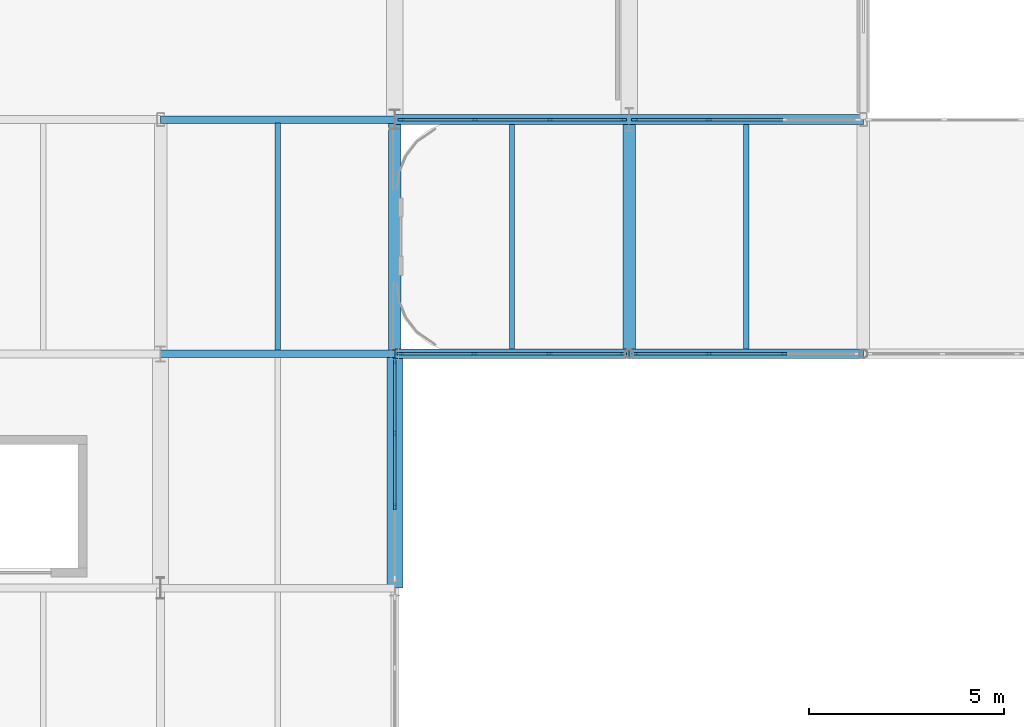
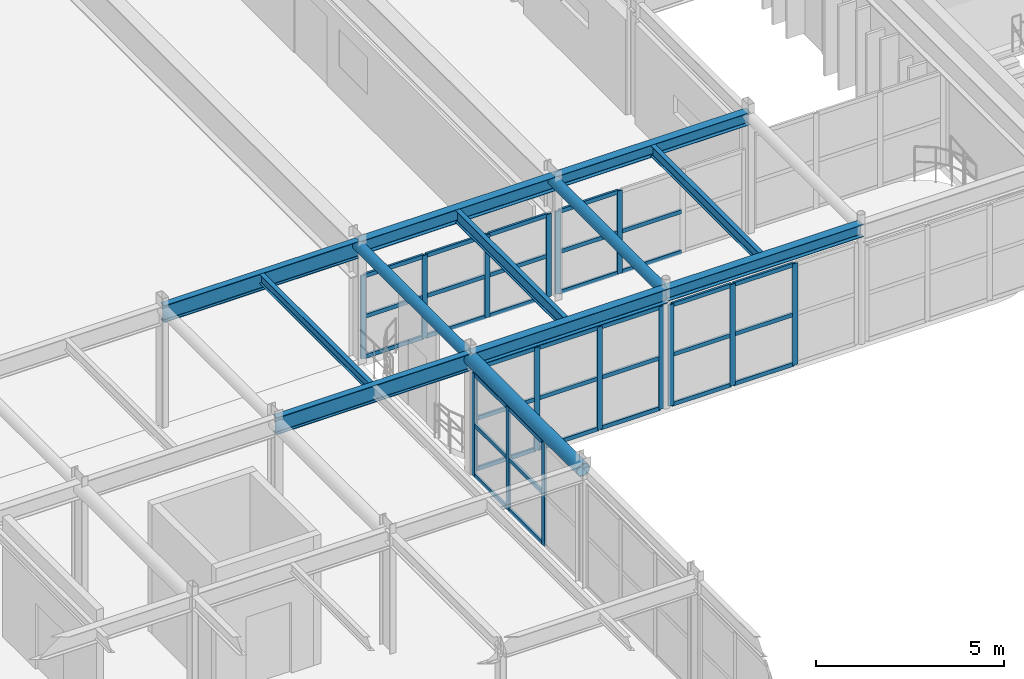
# One storey, part 63 of 116: 51 members, 12 beams, 5 elements without a shape of their own.
"""IFC4 building model written with IfcOpenShell, lengths in metres."""

from ifc_helpers import new_model, si_unit, direction, frame, origin, origin_2d, place, context, subcontext, project, spatial, rectangle, hollow_circle, i_section, extrude, material, material_profile, profile_set, type_object, element, aggregate, save


model = new_model("IFC4")

# Units and contexts
model_context = context("Model", 3, precision=1e-05, world=origin(), true_north=direction((0.0, 1.0)))
body_context = subcontext(model_context, "Body", "Model", "MODEL_VIEW")
ifc_project = project(units=[si_unit("LENGTHUNIT", "METRE"), si_unit("AREAUNIT", "SQUARE_METRE"), si_unit("VOLUMEUNIT", "CUBIC_METRE"), si_unit("PLANEANGLEUNIT", "RADIAN"), si_unit("MASSUNIT", "GRAM", prefix="KILO")], contexts=[model_context])

# Site, building, storey
site_placement = place(None, origin())
site = spatial("IfcSite", under=ifc_project, at=site_placement, CompositionType="ELEMENT")
building_placement = place(site_placement, origin())
building = spatial("IfcBuilding", under=site, at=building_placement, Name="Varnakota Square Police Headquarters", CompositionType="ELEMENT")
storey_placement = place(building_placement, frame((0.0, 0.0, 9.300048828125)))
storey = spatial("IfcBuildingStorey", under=building, at=storey_placement, Name="L02", CompositionType="ELEMENT", Elevation=9.300048828125)

# Beams
ifc_material_1 = material(Name="Steel IS 2062 Grade 350", Category="steel")
ifc_material_profile_1 = material_profile(ifc_material_1, hollow_circle(Radius=0.161865234375, WallThickness=0.0126953125, at=origin_2d()), Name="CHS 323.9x12.7")
ifc_profile_set_1 = profile_set([ifc_material_profile_1], Name="Steel IS 2062 Grade 350")
beam_type_1 = type_object("IfcBeamType", Name="BM-ARC-CHS324", PredefinedType="BEAM", material=ifc_profile_set_1)
for number, where, z_axis, x_axis, name in (
    (1, (42.0, 69.0, 3.738037109375), (0.0, 1.0, 0.0), (-1.0, 0.0, 0.0), "BMG-L02-2191"),
    (2, (48.0, 69.0, 3.738037109375), (0.0, 1.0, 0.0), (-1.0, 0.0, 0.0), "BMG-L02-2197"),
):
    element("IfcBeam", number, at=place(storey_placement, frame(where, z_axis=z_axis, x_axis=x_axis)), inside=storey, type_object=beam_type_1, Name=name, PredefinedType="BEAM", context=body_context, shape_type="SweptSolid", body=[
        extrude(hollow_circle(Radius=0.161865234375, WallThickness=0.0126953125, at=origin_2d()), origin(), (0.0, 0.0, 1.0), 6.0),
    ])
ifc_material_profile_2 = material_profile(ifc_material_1, hollow_circle(Radius=0.203125, WallThickness=0.01611328125, at=origin_2d()), Name="CHS 406.4x16.0")
ifc_profile_set_2 = profile_set([ifc_material_profile_2], Name="Steel IS 2062 Grade 350")
beam_type_2 = type_object("IfcBeamType", Name="BM-ARC-CHS406", PredefinedType="BEAM", material=ifc_profile_set_2)
beam_1_placement = place(storey_placement, frame((42.0, 63.0, 3.69677734375), z_axis=(0.0, 1.0, 0.0), x_axis=(-1.0, 0.0, 0.0)))
element("IfcBeam", 3, at=beam_1_placement, inside=storey, type_object=beam_type_2, Name="BMG-L02-2190", PredefinedType="BEAM", context=body_context, shape_type="SweptSolid", body=[
    extrude(hollow_circle(Radius=0.203125, WallThickness=0.01611328125, at=origin_2d()), origin(), (0.0, 0.0, 1.0), 6.0),
])
ifc_material_profile_3 = material_profile(ifc_material_1, i_section(OverallWidth=0.25, OverallDepth=0.39990234375, WebThickness=0.010498046875, FlangeThickness=0.0126953125, FilletRadius=0.013916015625, at=origin_2d()), Name="ISHB 400")
ifc_profile_set_3 = profile_set([ifc_material_profile_3], Name="Steel IS 2062 Grade 350")
beam_type_3 = type_object("IfcBeamType", Name="BM-ISHB400", PredefinedType="BEAM", material=ifc_profile_set_3)
for number, where, z_axis, x_axis, name in (
    (4, (48.0, 69.0, 3.699951171875), (1.0, 0.0, 0.0), (0.0, 1.0, 0.0), "BMG-L02-2012"),
    (5, (48.0, 75.0, 3.699951171875), (1.0, 0.0, 0.0), (0.0, 1.0, 0.0), "BMG-L02-2034"),
):
    element("IfcBeam", number, at=place(storey_placement, frame(where, z_axis=z_axis, x_axis=x_axis)), inside=storey, type_object=beam_type_3, Name=name, PredefinedType="BEAM", context=body_context, shape_type="SweptSolid", body=[
        extrude(i_section(OverallWidth=0.25, OverallDepth=0.39990234375, WebThickness=0.010498046875, FlangeThickness=0.0126953125, FilletRadius=0.013916015625, at=origin_2d()), origin(), (0.0, 0.0, 1.0), 6.0),
    ])
ifc_material_profile_4 = material_profile(ifc_material_1, i_section(OverallWidth=0.25, OverallDepth=0.449951171875, WebThickness=0.01123046875, FlangeThickness=0.013671875, FilletRadius=0.014892578125, at=origin_2d()), Name="ISHB 450")
ifc_profile_set_4 = profile_set([ifc_material_profile_4], Name="Steel IS 2062 Grade 350")
beam_type_4 = type_object("IfcBeamType", Name="BM-ISHB450", PredefinedType="BEAM", material=ifc_profile_set_4)
for number, where, z_axis, x_axis, name in (
    (6, (42.0, 69.0, 3.675048828125), (1.0, 0.0, 0.0), (0.0, 1.0, 0.0), "BMG-L02-2011"),
    (7, (42.0, 75.0, 3.675048828125), (1.0, 0.0, 0.0), (0.0, 1.0, 0.0), "BMG-L02-2033"),
):
    element("IfcBeam", number, at=place(storey_placement, frame(where, z_axis=z_axis, x_axis=x_axis)), inside=storey, type_object=beam_type_4, Name=name, PredefinedType="BEAM", context=body_context, shape_type="SweptSolid", body=[
        extrude(i_section(OverallWidth=0.25, OverallDepth=0.449951171875, WebThickness=0.01123046875, FlangeThickness=0.013671875, FilletRadius=0.014892578125, at=origin_2d()), origin(), (0.0, 0.0, 1.0), 6.0),
    ])
ifc_material_profile_5 = material_profile(ifc_material_1, i_section(OverallWidth=0.139892578125, OverallDepth=0.300048828125, WebThickness=0.0078125, FlangeThickness=0.01318359375, FilletRadius=0.013916015625, at=origin_2d()), Name="ISMB 300")
ifc_profile_set_5 = profile_set([ifc_material_profile_5], Name="Steel IS 2062 Grade 350")
beam_type_5 = type_object("IfcBeamType", Name="BM-ISMB300", PredefinedType="JOIST", material=ifc_profile_set_5)
beam_2_placement = place(storey_placement, frame((39.0, 69.093017578125, 3.75), z_axis=(0.0, 1.0, 0.0), x_axis=(-1.0, 0.0, 0.0)))
element("IfcBeam", 8, at=beam_2_placement, inside=storey, type_object=beam_type_5, Name="BMG-L02-2367", PredefinedType="JOIST", context=body_context, shape_type="SweptSolid", body=[
    extrude(i_section(OverallWidth=0.139892578125, OverallDepth=0.300048828125, WebThickness=0.0078125, FlangeThickness=0.01318359375, FilletRadius=0.013916015625, at=origin_2d()), origin(), (0.0, 0.0, 1.0), 5.81396484375),
])
ifc_material_profile_6 = material_profile(ifc_material_1, i_section(OverallWidth=0.139892578125, OverallDepth=0.35009765625, WebThickness=0.008056640625, FlangeThickness=0.01416015625, FilletRadius=0.013916015625, at=origin_2d()), Name="ISMB 350")
ifc_profile_set_6 = profile_set([ifc_material_profile_6], Name="Steel IS 2062 Grade 350")
beam_type_6 = type_object("IfcBeamType", Name="BM-ISMB350", PredefinedType="JOIST", material=ifc_profile_set_6)
beam_3_placement = place(storey_placement, frame((51.0, 69.123046875, 3.724853515625), z_axis=(0.0, 1.0, 0.0), x_axis=(-1.0, 0.0, 0.0)))
element("IfcBeam", 9, at=beam_3_placement, inside=storey, type_object=beam_type_6, Name="BMG-L02-2373", PredefinedType="JOIST", context=body_context, shape_type="SweptSolid", body=[
    extrude(i_section(OverallWidth=0.139892578125, OverallDepth=0.35009765625, WebThickness=0.008056640625, FlangeThickness=0.01416015625, FilletRadius=0.013916015625, at=origin_2d()), origin(), (0.0, 0.0, 1.0), 5.75390625),
])
ifc_material_profile_7 = material_profile(ifc_material_1, i_section(OverallWidth=0.139892578125, OverallDepth=0.39990234375, WebThickness=0.0087890625, FlangeThickness=0.01611328125, FilletRadius=0.013916015625, at=origin_2d()), Name="ISMB 400")
ifc_profile_set_7 = profile_set([ifc_material_profile_7], Name="Steel IS 2062 Grade 350")
beam_type_7 = type_object("IfcBeamType", Name="BM-ISMB400", PredefinedType="JOIST", material=ifc_profile_set_7)
beam_4_placement = place(storey_placement, frame((45.0, 69.123046875, 3.699951171875), z_axis=(0.0, 1.0, 0.0), x_axis=(-1.0, 0.0, 0.0)))
element("IfcBeam", 10, at=beam_4_placement, inside=storey, type_object=beam_type_7, Name="BMG-L02-2371", PredefinedType="JOIST", context=body_context, shape_type="SweptSolid", body=[
    extrude(i_section(OverallWidth=0.139892578125, OverallDepth=0.39990234375, WebThickness=0.0087890625, FlangeThickness=0.01611328125, FilletRadius=0.013916015625, at=origin_2d()), origin(), (0.0, 0.0, 1.0), 5.75390625),
])
ifc_material_profile_8 = material_profile(ifc_material_1, i_section(OverallWidth=0.18994140625, OverallDepth=0.550048828125, WebThickness=0.01123046875, FlangeThickness=0.019287109375, FilletRadius=0.01806640625, at=origin_2d()), Name="ISMB 550")
ifc_profile_set_8 = profile_set([ifc_material_profile_8], Name="Steel IS 2062 Grade 350")
beam_type_8 = type_object("IfcBeamType", Name="BM-ISMB550", PredefinedType="BEAM", material=ifc_profile_set_8)
for number, where, z_axis, x_axis, name in (
    (11, (36.0, 69.0, 3.625), (1.0, 0.0, 0.0), (0.0, 1.0, 0.0), "BMG-L02-2010"),
    (12, (36.0, 75.0, 3.625), (1.0, 0.0, 0.0), (0.0, 1.0, 0.0), "BMG-L02-2032"),
):
    element("IfcBeam", number, at=place(storey_placement, frame(where, z_axis=z_axis, x_axis=x_axis)), inside=storey, type_object=beam_type_8, Name=name, PredefinedType="BEAM", context=body_context, shape_type="SweptSolid", body=[
        extrude(i_section(OverallWidth=0.18994140625, OverallDepth=0.550048828125, WebThickness=0.01123046875, FlangeThickness=0.019287109375, FilletRadius=0.01806640625, at=origin_2d()), origin(), (0.0, 0.0, 1.0), 6.0),
    ])

# Curtain wall, members
ifc_material_2 = material(Name="Anodised Aluminium Framing", Category="aluminium")
curtain_wall_type_1 = type_object("IfcCurtainWallType", Name="CW-SYS-D", PredefinedType="NOTDEFINED", material=ifc_material_2)
curtain_wall_1_placement = place(storey_placement, origin())
curtain_wall_1 = element("IfcCurtainWall", 13, at=curtain_wall_1_placement, inside=storey, type_object=curtain_wall_type_1, Name="Unitised curtain wall CWG-L02-160", PredefinedType="NOTDEFINED")
ifc_material_3 = material(Name="Anodised Aluminium 6063-T6", Category="aluminium")
ifc_material_profile_9 = material_profile(ifc_material_3, rectangle(XDim=0.06494140625, YDim=0.159912109375, at=origin_2d()), Name="ALU MULLION 65x160")
ifc_profile_set_9 = profile_set([ifc_material_profile_9], Name="Anodised Aluminium 6063-T6")
member_type_1 = type_object("IfcMemberType", Name="CWM-150", PredefinedType="MULLION", material=ifc_profile_set_9)
member_1_placement = place(storey_placement, frame((42.0, 65.0849609375, 0.0), z_axis=(0.0, 0.0, 1.0), x_axis=(-1.0, 0.0, 0.0)))
member_1 = element("IfcMember", 14, at=member_1_placement, type_object=member_type_1, Name="CWG-L02-160 mullion 2", PredefinedType="MULLION", context=body_context, shape_type="SweptSolid", body=[
    extrude(rectangle(XDim=0.06494140625, YDim=0.159912109375, at=origin_2d()), origin(), (0.0, 0.0, 1.0), 3.33984375),
])
member_2_placement = place(storey_placement, frame((42.0, 66.965087890625, 0.0), z_axis=(0.0, 0.0, 1.0), x_axis=(-1.0, 0.0, 0.0)))
member_2 = element("IfcMember", 15, at=member_2_placement, type_object=member_type_1, Name="CWG-L02-160 mullion 3", PredefinedType="MULLION", context=body_context, shape_type="SweptSolid", body=[
    extrude(rectangle(XDim=0.06494140625, YDim=0.159912109375, at=origin_2d()), origin(), (0.0, 0.0, 1.0), 3.33984375),
])
member_3_placement = place(storey_placement, frame((42.0, 68.8125, 0.0), z_axis=(0.0, 0.0, 1.0), x_axis=(-1.0, 0.0, 0.0)))
member_3 = element("IfcMember", 16, at=member_3_placement, type_object=member_type_1, Name="CWG-L02-160 mullion 4", PredefinedType="MULLION", context=body_context, shape_type="SweptSolid", body=[
    extrude(rectangle(XDim=0.06494140625, YDim=0.159912109375, at=origin_2d()), origin(), (0.0, 0.0, 1.0), 3.33984375),
])

curtain_wall_type_2 = type_object("IfcCurtainWallType", Name="CW-SYS-E", PredefinedType="NOTDEFINED", material=ifc_material_2)
curtain_wall_2_placement = place(storey_placement, origin())
curtain_wall_2 = element("IfcCurtainWall", 17, at=curtain_wall_2_placement, inside=storey, type_object=curtain_wall_type_2, Name="Unitised curtain wall CWG-L02-204", PredefinedType="NOTDEFINED")
member_4_placement = place(storey_placement, frame((42.137451171875, 69.0, 0.0), z_axis=(0.0, 0.0, 1.0), x_axis=(0.0, 1.0, 0.0)))
member_4 = element("IfcMember", 18, at=member_4_placement, type_object=member_type_1, Name="CWG-L02-204 mullion 1", PredefinedType="MULLION", context=body_context, shape_type="SweptSolid", body=[
    extrude(rectangle(XDim=0.06494140625, YDim=0.159912109375, at=origin_2d()), origin(), (0.0, 0.0, 1.0), 3.33984375),
])
member_5_placement = place(storey_placement, frame((44.03173828125, 69.0, 0.0), z_axis=(0.0, 0.0, 1.0), x_axis=(0.0, 1.0, 0.0)))
member_5 = element("IfcMember", 19, at=member_5_placement, type_object=member_type_1, Name="CWG-L02-204 mullion 2", PredefinedType="MULLION", context=body_context, shape_type="SweptSolid", body=[
    extrude(rectangle(XDim=0.06494140625, YDim=0.159912109375, at=origin_2d()), origin(), (0.0, 0.0, 1.0), 3.33984375),
])
member_6_placement = place(storey_placement, frame((45.95849609375, 69.0, 0.0), z_axis=(0.0, 0.0, 1.0), x_axis=(0.0, 1.0, 0.0)))
member_6 = element("IfcMember", 20, at=member_6_placement, type_object=member_type_1, Name="CWG-L02-204 mullion 3", PredefinedType="MULLION", context=body_context, shape_type="SweptSolid", body=[
    extrude(rectangle(XDim=0.06494140625, YDim=0.159912109375, at=origin_2d()), origin(), (0.0, 0.0, 1.0), 3.33984375),
])
member_7_placement = place(storey_placement, frame((47.852783203125, 69.0, 0.0), z_axis=(0.0, 0.0, 1.0), x_axis=(0.0, 1.0, 0.0)))
member_7 = element("IfcMember", 21, at=member_7_placement, type_object=member_type_1, Name="CWG-L02-204 mullion 4", PredefinedType="MULLION", context=body_context, shape_type="SweptSolid", body=[
    extrude(rectangle(XDim=0.06494140625, YDim=0.159912109375, at=origin_2d()), origin(), (0.0, 0.0, 1.0), 3.33984375),
])

curtain_wall_3_placement = place(storey_placement, origin())
curtain_wall_3 = element("IfcCurtainWall", 22, at=curtain_wall_3_placement, inside=storey, type_object=curtain_wall_type_2, Name="Unitised curtain wall CWG-L02-205", PredefinedType="NOTDEFINED")
member_8_placement = place(storey_placement, frame((42.16259765625, 75.0, 0.0), z_axis=(0.0, 0.0, 1.0), x_axis=(0.0, 1.0, 0.0)))
member_8 = element("IfcMember", 23, at=member_8_placement, type_object=member_type_1, Name="CWG-L02-205 mullion 1", PredefinedType="MULLION", context=body_context, shape_type="SweptSolid", body=[
    extrude(rectangle(XDim=0.06494140625, YDim=0.159912109375, at=origin_2d()), origin(), (0.0, 0.0, 1.0), 2.68994140625),
])
member_9_placement = place(storey_placement, frame((44.050048828125, 75.0, 0.0), z_axis=(0.0, 0.0, 1.0), x_axis=(0.0, 1.0, 0.0)))
member_9 = element("IfcMember", 24, at=member_9_placement, type_object=member_type_1, Name="CWG-L02-205 mullion 2", PredefinedType="MULLION", context=body_context, shape_type="SweptSolid", body=[
    extrude(rectangle(XDim=0.06494140625, YDim=0.159912109375, at=origin_2d()), origin(), (0.0, 0.0, 1.0), 2.68994140625),
])
member_10_placement = place(storey_placement, frame((45.969970703125, 75.0, 0.0), z_axis=(0.0, 0.0, 1.0), x_axis=(0.0, 1.0, 0.0)))
member_10 = element("IfcMember", 25, at=member_10_placement, type_object=member_type_1, Name="CWG-L02-205 mullion 3", PredefinedType="MULLION", context=body_context, shape_type="SweptSolid", body=[
    extrude(rectangle(XDim=0.06494140625, YDim=0.159912109375, at=origin_2d()), origin(), (0.0, 0.0, 1.0), 2.68994140625),
])
member_11_placement = place(storey_placement, frame((47.857421875, 75.0, 0.0), z_axis=(0.0, 0.0, 1.0), x_axis=(0.0, 1.0, 0.0)))
member_11 = element("IfcMember", 26, at=member_11_placement, type_object=member_type_1, Name="CWG-L02-205 mullion 4", PredefinedType="MULLION", context=body_context, shape_type="SweptSolid", body=[
    extrude(rectangle(XDim=0.06494140625, YDim=0.159912109375, at=origin_2d()), origin(), (0.0, 0.0, 1.0), 2.68994140625),
])

curtain_wall_4_placement = place(storey_placement, origin())
curtain_wall_4 = element("IfcCurtainWall", 27, at=curtain_wall_4_placement, inside=storey, type_object=curtain_wall_type_2, Name="Unitised curtain wall CWG-L02-206", PredefinedType="NOTDEFINED")
member_12_placement = place(storey_placement, frame((48.147216796875, 69.0, 0.0), z_axis=(0.0, 0.0, 1.0), x_axis=(0.0, 1.0, 0.0)))
member_12 = element("IfcMember", 28, at=member_12_placement, type_object=member_type_1, Name="CWG-L02-206 mullion 1", PredefinedType="MULLION", context=body_context, shape_type="SweptSolid", body=[
    extrude(rectangle(XDim=0.06494140625, YDim=0.159912109375, at=origin_2d()), origin(), (0.0, 0.0, 1.0), 3.2900390625),
])
member_13_placement = place(storey_placement, frame((50.0380859375, 69.0, 0.0), z_axis=(0.0, 0.0, 1.0), x_axis=(0.0, 1.0, 0.0)))
member_13 = element("IfcMember", 29, at=member_13_placement, type_object=member_type_1, Name="CWG-L02-206 mullion 2", PredefinedType="MULLION", context=body_context, shape_type="SweptSolid", body=[
    extrude(rectangle(XDim=0.06494140625, YDim=0.159912109375, at=origin_2d()), origin(), (0.0, 0.0, 1.0), 3.2900390625),
])
member_14_placement = place(storey_placement, frame((51.9619140625, 69.0, 0.0), z_axis=(0.0, 0.0, 1.0), x_axis=(0.0, 1.0, 0.0)))
member_14 = element("IfcMember", 30, at=member_14_placement, type_object=member_type_1, Name="CWG-L02-206 mullion 3", PredefinedType="MULLION", context=body_context, shape_type="SweptSolid", body=[
    extrude(rectangle(XDim=0.06494140625, YDim=0.159912109375, at=origin_2d()), origin(), (0.0, 0.0, 1.0), 3.2900390625),
])

curtain_wall_5_placement = place(storey_placement, origin())
curtain_wall_5 = element("IfcCurtainWall", 31, at=curtain_wall_5_placement, inside=storey, type_object=curtain_wall_type_2, Name="Unitised curtain wall CWG-L02-207", PredefinedType="NOTDEFINED")
member_15_placement = place(storey_placement, frame((48.142578125, 75.0, 0.0), z_axis=(0.0, 0.0, 1.0), x_axis=(0.0, 1.0, 0.0)))
member_15 = element("IfcMember", 32, at=member_15_placement, type_object=member_type_1, Name="CWG-L02-207 mullion 1", PredefinedType="MULLION", context=body_context, shape_type="SweptSolid", body=[
    extrude(rectangle(XDim=0.06494140625, YDim=0.159912109375, at=origin_2d()), origin(), (0.0, 0.0, 1.0), 2.68994140625),
])
member_16_placement = place(storey_placement, frame((50.038330078125, 75.0, 0.0), z_axis=(0.0, 0.0, 1.0), x_axis=(0.0, 1.0, 0.0)))
member_16 = element("IfcMember", 33, at=member_16_placement, type_object=member_type_1, Name="CWG-L02-207 mullion 2", PredefinedType="MULLION", context=body_context, shape_type="SweptSolid", body=[
    extrude(rectangle(XDim=0.06494140625, YDim=0.159912109375, at=origin_2d()), origin(), (0.0, 0.0, 1.0), 2.68994140625),
])

# Member
ifc_material_profile_10 = material_profile(ifc_material_3, rectangle(XDim=0.06494140625, YDim=0.1298828125, at=origin_2d()), Name="ALU TRANSOM 65x130")
ifc_profile_set_10 = profile_set([ifc_material_profile_10], Name="Anodised Aluminium 6063-T6")
member_type_2 = type_object("IfcMemberType", Name="CWT-120", PredefinedType="USERDEFINED", material=ifc_profile_set_10)
member_17_placement = place(storey_placement, frame((42.0, 65.117431640625, 0.032470703125), z_axis=(0.0, 1.0, 0.0), x_axis=(-1.0, 0.0, 0.0)))
member_17 = element("IfcMember", 34, at=member_17_placement, type_object=member_type_2, Name="CWG-L02-160 transom 2.1", ObjectType="TRANSOM", PredefinedType="USERDEFINED", context=body_context, shape_type="SweptSolid", body=[
    extrude(rectangle(XDim=0.06494140625, YDim=0.1298828125, at=origin_2d()), origin(), (0.0, 0.0, 1.0), 1.815185546875),
])

member_18_placement = place(storey_placement, frame((42.0, 65.117431640625, 1.669921875), z_axis=(0.0, 1.0, 0.0), x_axis=(-1.0, 0.0, 0.0)))
member_18 = element("IfcMember", 35, at=member_18_placement, type_object=member_type_2, Name="CWG-L02-160 transom 2.2", ObjectType="TRANSOM", PredefinedType="USERDEFINED", context=body_context, shape_type="SweptSolid", body=[
    extrude(rectangle(XDim=0.06494140625, YDim=0.1298828125, at=origin_2d()), origin(), (0.0, 0.0, 1.0), 1.815185546875),
])

member_19_placement = place(storey_placement, frame((42.0, 65.117431640625, 3.307373046875), z_axis=(0.0, 1.0, 0.0), x_axis=(-1.0, 0.0, 0.0)))
member_19 = element("IfcMember", 36, at=member_19_placement, type_object=member_type_2, Name="CWG-L02-160 transom 2.3", ObjectType="TRANSOM", PredefinedType="USERDEFINED", context=body_context, shape_type="SweptSolid", body=[
    extrude(rectangle(XDim=0.06494140625, YDim=0.1298828125, at=origin_2d()), origin(), (0.0, 0.0, 1.0), 1.815185546875),
])

member_20_placement = place(storey_placement, frame((42.0, 66.99755859375, 0.032470703125), z_axis=(0.0, 1.0, 0.0), x_axis=(-1.0, 0.0, 0.0)))
member_20 = element("IfcMember", 37, at=member_20_placement, type_object=member_type_2, Name="CWG-L02-160 transom 3.1", ObjectType="TRANSOM", PredefinedType="USERDEFINED", context=body_context, shape_type="SweptSolid", body=[
    extrude(rectangle(XDim=0.06494140625, YDim=0.1298828125, at=origin_2d()), origin(), (0.0, 0.0, 1.0), 1.782470703125),
])

member_21_placement = place(storey_placement, frame((42.0, 66.99755859375, 1.669921875), z_axis=(0.0, 1.0, 0.0), x_axis=(-1.0, 0.0, 0.0)))
member_21 = element("IfcMember", 38, at=member_21_placement, type_object=member_type_2, Name="CWG-L02-160 transom 3.2", ObjectType="TRANSOM", PredefinedType="USERDEFINED", context=body_context, shape_type="SweptSolid", body=[
    extrude(rectangle(XDim=0.06494140625, YDim=0.1298828125, at=origin_2d()), origin(), (0.0, 0.0, 1.0), 1.782470703125),
])

member_22_placement = place(storey_placement, frame((42.0, 66.99755859375, 3.307373046875), z_axis=(0.0, 1.0, 0.0), x_axis=(-1.0, 0.0, 0.0)))
member_22 = element("IfcMember", 39, at=member_22_placement, type_object=member_type_2, Name="CWG-L02-160 transom 3.3", ObjectType="TRANSOM", PredefinedType="USERDEFINED", context=body_context, shape_type="SweptSolid", body=[
    extrude(rectangle(XDim=0.06494140625, YDim=0.1298828125, at=origin_2d()), origin(), (0.0, 0.0, 1.0), 1.782470703125),
])

aggregate(curtain_wall_1, [member_1, member_2, member_3, member_17, member_18, member_19, member_20, member_21, member_22])

member_23_placement = place(storey_placement, frame((42.169921875, 69.0, 0.032470703125), z_axis=(1.0, 0.0, 0.0), x_axis=(0.0, 1.0, 0.0)))
member_23 = element("IfcMember", 40, at=member_23_placement, type_object=member_type_2, Name="CWG-L02-204 transom 1.1", ObjectType="TRANSOM", PredefinedType="USERDEFINED", context=body_context, shape_type="SweptSolid", body=[
    extrude(rectangle(XDim=0.06494140625, YDim=0.1298828125, at=origin_2d()), origin(), (0.0, 0.0, 1.0), 1.829345703125),
])

member_24_placement = place(storey_placement, frame((42.169921875, 69.0, 1.669921875), z_axis=(1.0, 0.0, 0.0), x_axis=(0.0, 1.0, 0.0)))
member_24 = element("IfcMember", 41, at=member_24_placement, type_object=member_type_2, Name="CWG-L02-204 transom 1.2", ObjectType="TRANSOM", PredefinedType="USERDEFINED", context=body_context, shape_type="SweptSolid", body=[
    extrude(rectangle(XDim=0.06494140625, YDim=0.1298828125, at=origin_2d()), origin(), (0.0, 0.0, 1.0), 1.829345703125),
])

member_25_placement = place(storey_placement, frame((42.169921875, 69.0, 3.307373046875), z_axis=(1.0, 0.0, 0.0), x_axis=(0.0, 1.0, 0.0)))
member_25 = element("IfcMember", 42, at=member_25_placement, type_object=member_type_2, Name="CWG-L02-204 transom 1.3", ObjectType="TRANSOM", PredefinedType="USERDEFINED", context=body_context, shape_type="SweptSolid", body=[
    extrude(rectangle(XDim=0.06494140625, YDim=0.1298828125, at=origin_2d()), origin(), (0.0, 0.0, 1.0), 1.829345703125),
])

member_26_placement = place(storey_placement, frame((44.064208984375, 69.0, 0.032470703125), z_axis=(1.0, 0.0, 0.0), x_axis=(0.0, 1.0, 0.0)))
member_26 = element("IfcMember", 43, at=member_26_placement, type_object=member_type_2, Name="CWG-L02-204 transom 2.1", ObjectType="TRANSOM", PredefinedType="USERDEFINED", context=body_context, shape_type="SweptSolid", body=[
    extrude(rectangle(XDim=0.06494140625, YDim=0.1298828125, at=origin_2d()), origin(), (0.0, 0.0, 1.0), 1.86181640625),
])

member_27_placement = place(storey_placement, frame((44.064208984375, 69.0, 1.669921875), z_axis=(1.0, 0.0, 0.0), x_axis=(0.0, 1.0, 0.0)))
member_27 = element("IfcMember", 44, at=member_27_placement, type_object=member_type_2, Name="CWG-L02-204 transom 2.2", ObjectType="TRANSOM", PredefinedType="USERDEFINED", context=body_context, shape_type="SweptSolid", body=[
    extrude(rectangle(XDim=0.06494140625, YDim=0.1298828125, at=origin_2d()), origin(), (0.0, 0.0, 1.0), 1.86181640625),
])

member_28_placement = place(storey_placement, frame((44.064208984375, 69.0, 3.307373046875), z_axis=(1.0, 0.0, 0.0), x_axis=(0.0, 1.0, 0.0)))
member_28 = element("IfcMember", 45, at=member_28_placement, type_object=member_type_2, Name="CWG-L02-204 transom 2.3", ObjectType="TRANSOM", PredefinedType="USERDEFINED", context=body_context, shape_type="SweptSolid", body=[
    extrude(rectangle(XDim=0.06494140625, YDim=0.1298828125, at=origin_2d()), origin(), (0.0, 0.0, 1.0), 1.86181640625),
])

member_29_placement = place(storey_placement, frame((45.9912109375, 69.0, 0.032470703125), z_axis=(1.0, 0.0, 0.0), x_axis=(0.0, 1.0, 0.0)))
member_29 = element("IfcMember", 46, at=member_29_placement, type_object=member_type_2, Name="CWG-L02-204 transom 3.1", ObjectType="TRANSOM", PredefinedType="USERDEFINED", context=body_context, shape_type="SweptSolid", body=[
    extrude(rectangle(XDim=0.06494140625, YDim=0.1298828125, at=origin_2d()), origin(), (0.0, 0.0, 1.0), 1.8291015625),
])

member_30_placement = place(storey_placement, frame((45.9912109375, 69.0, 1.669921875), z_axis=(1.0, 0.0, 0.0), x_axis=(0.0, 1.0, 0.0)))
member_30 = element("IfcMember", 47, at=member_30_placement, type_object=member_type_2, Name="CWG-L02-204 transom 3.2", ObjectType="TRANSOM", PredefinedType="USERDEFINED", context=body_context, shape_type="SweptSolid", body=[
    extrude(rectangle(XDim=0.06494140625, YDim=0.1298828125, at=origin_2d()), origin(), (0.0, 0.0, 1.0), 1.8291015625),
])

member_31_placement = place(storey_placement, frame((45.9912109375, 69.0, 3.307373046875), z_axis=(1.0, 0.0, 0.0), x_axis=(0.0, 1.0, 0.0)))
member_31 = element("IfcMember", 48, at=member_31_placement, type_object=member_type_2, Name="CWG-L02-204 transom 3.3", ObjectType="TRANSOM", PredefinedType="USERDEFINED", context=body_context, shape_type="SweptSolid", body=[
    extrude(rectangle(XDim=0.06494140625, YDim=0.1298828125, at=origin_2d()), origin(), (0.0, 0.0, 1.0), 1.8291015625),
])

aggregate(curtain_wall_2, [member_4, member_5, member_6, member_7, member_23, member_24, member_25, member_26, member_27, member_28, member_29, member_30, member_31])

member_32_placement = place(storey_placement, frame((42.195068359375, 75.0, 0.032470703125), z_axis=(1.0, 0.0, 0.0), x_axis=(0.0, 1.0, 0.0)))
member_32 = element("IfcMember", 49, at=member_32_placement, type_object=member_type_2, Name="CWG-L02-205 transom 1.1", ObjectType="TRANSOM", PredefinedType="USERDEFINED", context=body_context, shape_type="SweptSolid", body=[
    extrude(rectangle(XDim=0.06494140625, YDim=0.1298828125, at=origin_2d()), origin(), (0.0, 0.0, 1.0), 1.822509765625),
])

member_33_placement = place(storey_placement, frame((42.195068359375, 75.0, 1.344970703125), z_axis=(1.0, 0.0, 0.0), x_axis=(0.0, 1.0, 0.0)))
member_33 = element("IfcMember", 50, at=member_33_placement, type_object=member_type_2, Name="CWG-L02-205 transom 1.2", ObjectType="TRANSOM", PredefinedType="USERDEFINED", context=body_context, shape_type="SweptSolid", body=[
    extrude(rectangle(XDim=0.06494140625, YDim=0.1298828125, at=origin_2d()), origin(), (0.0, 0.0, 1.0), 1.822509765625),
])

member_34_placement = place(storey_placement, frame((42.195068359375, 75.0, 2.657470703125), z_axis=(1.0, 0.0, 0.0), x_axis=(0.0, 1.0, 0.0)))
member_34 = element("IfcMember", 51, at=member_34_placement, type_object=member_type_2, Name="CWG-L02-205 transom 1.3", ObjectType="TRANSOM", PredefinedType="USERDEFINED", context=body_context, shape_type="SweptSolid", body=[
    extrude(rectangle(XDim=0.06494140625, YDim=0.1298828125, at=origin_2d()), origin(), (0.0, 0.0, 1.0), 1.822509765625),
])

member_35_placement = place(storey_placement, frame((44.08251953125, 75.0, 0.032470703125), z_axis=(1.0, 0.0, 0.0), x_axis=(0.0, 1.0, 0.0)))
member_35 = element("IfcMember", 52, at=member_35_placement, type_object=member_type_2, Name="CWG-L02-205 transom 2.1", ObjectType="TRANSOM", PredefinedType="USERDEFINED", context=body_context, shape_type="SweptSolid", body=[
    extrude(rectangle(XDim=0.06494140625, YDim=0.1298828125, at=origin_2d()), origin(), (0.0, 0.0, 1.0), 1.85498046875),
])

member_36_placement = place(storey_placement, frame((44.08251953125, 75.0, 1.344970703125), z_axis=(1.0, 0.0, 0.0), x_axis=(0.0, 1.0, 0.0)))
member_36 = element("IfcMember", 53, at=member_36_placement, type_object=member_type_2, Name="CWG-L02-205 transom 2.2", ObjectType="TRANSOM", PredefinedType="USERDEFINED", context=body_context, shape_type="SweptSolid", body=[
    extrude(rectangle(XDim=0.06494140625, YDim=0.1298828125, at=origin_2d()), origin(), (0.0, 0.0, 1.0), 1.85498046875),
])

member_37_placement = place(storey_placement, frame((44.08251953125, 75.0, 2.657470703125), z_axis=(1.0, 0.0, 0.0), x_axis=(0.0, 1.0, 0.0)))
member_37 = element("IfcMember", 54, at=member_37_placement, type_object=member_type_2, Name="CWG-L02-205 transom 2.3", ObjectType="TRANSOM", PredefinedType="USERDEFINED", context=body_context, shape_type="SweptSolid", body=[
    extrude(rectangle(XDim=0.06494140625, YDim=0.1298828125, at=origin_2d()), origin(), (0.0, 0.0, 1.0), 1.85498046875),
])

member_38_placement = place(storey_placement, frame((46.00244140625, 75.0, 0.032470703125), z_axis=(1.0, 0.0, 0.0), x_axis=(0.0, 1.0, 0.0)))
member_38 = element("IfcMember", 55, at=member_38_placement, type_object=member_type_2, Name="CWG-L02-205 transom 3.1", ObjectType="TRANSOM", PredefinedType="USERDEFINED", context=body_context, shape_type="SweptSolid", body=[
    extrude(rectangle(XDim=0.06494140625, YDim=0.1298828125, at=origin_2d()), origin(), (0.0, 0.0, 1.0), 1.822509765625),
])

member_39_placement = place(storey_placement, frame((46.00244140625, 75.0, 1.344970703125), z_axis=(1.0, 0.0, 0.0), x_axis=(0.0, 1.0, 0.0)))
member_39 = element("IfcMember", 56, at=member_39_placement, type_object=member_type_2, Name="CWG-L02-205 transom 3.2", ObjectType="TRANSOM", PredefinedType="USERDEFINED", context=body_context, shape_type="SweptSolid", body=[
    extrude(rectangle(XDim=0.06494140625, YDim=0.1298828125, at=origin_2d()), origin(), (0.0, 0.0, 1.0), 1.822509765625),
])

member_40_placement = place(storey_placement, frame((46.00244140625, 75.0, 2.657470703125), z_axis=(1.0, 0.0, 0.0), x_axis=(0.0, 1.0, 0.0)))
member_40 = element("IfcMember", 57, at=member_40_placement, type_object=member_type_2, Name="CWG-L02-205 transom 3.3", ObjectType="TRANSOM", PredefinedType="USERDEFINED", context=body_context, shape_type="SweptSolid", body=[
    extrude(rectangle(XDim=0.06494140625, YDim=0.1298828125, at=origin_2d()), origin(), (0.0, 0.0, 1.0), 1.822509765625),
])

aggregate(curtain_wall_3, [member_8, member_9, member_10, member_11, member_32, member_33, member_34, member_35, member_36, member_37, member_38, member_39, member_40])

member_41_placement = place(storey_placement, frame((48.1796875, 69.0, 0.032470703125), z_axis=(1.0, 0.0, 0.0), x_axis=(0.0, 1.0, 0.0)))
member_41 = element("IfcMember", 58, at=member_41_placement, type_object=member_type_2, Name="CWG-L02-206 transom 1.1", ObjectType="TRANSOM", PredefinedType="USERDEFINED", context=body_context, shape_type="SweptSolid", body=[
    extrude(rectangle(XDim=0.06494140625, YDim=0.1298828125, at=origin_2d()), origin(), (0.0, 0.0, 1.0), 1.825927734375),
])

member_42_placement = place(storey_placement, frame((48.1796875, 69.0, 1.64501953125), z_axis=(1.0, 0.0, 0.0), x_axis=(0.0, 1.0, 0.0)))
member_42 = element("IfcMember", 59, at=member_42_placement, type_object=member_type_2, Name="CWG-L02-206 transom 1.2", ObjectType="TRANSOM", PredefinedType="USERDEFINED", context=body_context, shape_type="SweptSolid", body=[
    extrude(rectangle(XDim=0.06494140625, YDim=0.1298828125, at=origin_2d()), origin(), (0.0, 0.0, 1.0), 1.825927734375),
])

member_43_placement = place(storey_placement, frame((48.1796875, 69.0, 3.257568359375), z_axis=(1.0, 0.0, 0.0), x_axis=(0.0, 1.0, 0.0)))
member_43 = element("IfcMember", 60, at=member_43_placement, type_object=member_type_2, Name="CWG-L02-206 transom 1.3", ObjectType="TRANSOM", PredefinedType="USERDEFINED", context=body_context, shape_type="SweptSolid", body=[
    extrude(rectangle(XDim=0.06494140625, YDim=0.1298828125, at=origin_2d()), origin(), (0.0, 0.0, 1.0), 1.825927734375),
])

member_44_placement = place(storey_placement, frame((50.07080078125, 69.0, 0.032470703125), z_axis=(1.0, 0.0, 0.0), x_axis=(0.0, 1.0, 0.0)))
member_44 = element("IfcMember", 61, at=member_44_placement, type_object=member_type_2, Name="CWG-L02-206 transom 2.1", ObjectType="TRANSOM", PredefinedType="USERDEFINED", context=body_context, shape_type="SweptSolid", body=[
    extrude(rectangle(XDim=0.06494140625, YDim=0.1298828125, at=origin_2d()), origin(), (0.0, 0.0, 1.0), 1.8583984375),
])

member_45_placement = place(storey_placement, frame((50.07080078125, 69.0, 1.64501953125), z_axis=(1.0, 0.0, 0.0), x_axis=(0.0, 1.0, 0.0)))
member_45 = element("IfcMember", 62, at=member_45_placement, type_object=member_type_2, Name="CWG-L02-206 transom 2.2", ObjectType="TRANSOM", PredefinedType="USERDEFINED", context=body_context, shape_type="SweptSolid", body=[
    extrude(rectangle(XDim=0.06494140625, YDim=0.1298828125, at=origin_2d()), origin(), (0.0, 0.0, 1.0), 1.8583984375),
])

member_46_placement = place(storey_placement, frame((50.07080078125, 69.0, 3.257568359375), z_axis=(1.0, 0.0, 0.0), x_axis=(0.0, 1.0, 0.0)))
member_46 = element("IfcMember", 63, at=member_46_placement, type_object=member_type_2, Name="CWG-L02-206 transom 2.3", ObjectType="TRANSOM", PredefinedType="USERDEFINED", context=body_context, shape_type="SweptSolid", body=[
    extrude(rectangle(XDim=0.06494140625, YDim=0.1298828125, at=origin_2d()), origin(), (0.0, 0.0, 1.0), 1.8583984375),
])

aggregate(curtain_wall_4, [member_12, member_13, member_14, member_41, member_42, member_43, member_44, member_45, member_46])

member_47_placement = place(storey_placement, frame((48.175048828125, 75.0, 0.032470703125), z_axis=(1.0, 0.0, 0.0), x_axis=(0.0, 1.0, 0.0)))
member_47 = element("IfcMember", 64, at=member_47_placement, type_object=member_type_2, Name="CWG-L02-207 transom 1.1", ObjectType="TRANSOM", PredefinedType="USERDEFINED", context=body_context, shape_type="SweptSolid", body=[
    extrude(rectangle(XDim=0.06494140625, YDim=0.1298828125, at=origin_2d()), origin(), (0.0, 0.0, 1.0), 1.830810546875),
])

member_48_placement = place(storey_placement, frame((48.175048828125, 75.0, 1.344970703125), z_axis=(1.0, 0.0, 0.0), x_axis=(0.0, 1.0, 0.0)))
member_48 = element("IfcMember", 65, at=member_48_placement, type_object=member_type_2, Name="CWG-L02-207 transom 1.2", ObjectType="TRANSOM", PredefinedType="USERDEFINED", context=body_context, shape_type="SweptSolid", body=[
    extrude(rectangle(XDim=0.06494140625, YDim=0.1298828125, at=origin_2d()), origin(), (0.0, 0.0, 1.0), 1.830810546875),
])

member_49_placement = place(storey_placement, frame((48.175048828125, 75.0, 2.657470703125), z_axis=(1.0, 0.0, 0.0), x_axis=(0.0, 1.0, 0.0)))
member_49 = element("IfcMember", 66, at=member_49_placement, type_object=member_type_2, Name="CWG-L02-207 transom 1.3", ObjectType="TRANSOM", PredefinedType="USERDEFINED", context=body_context, shape_type="SweptSolid", body=[
    extrude(rectangle(XDim=0.06494140625, YDim=0.1298828125, at=origin_2d()), origin(), (0.0, 0.0, 1.0), 1.830810546875),
])

member_50_placement = place(storey_placement, frame((50.07080078125, 75.0, 0.032470703125), z_axis=(1.0, 0.0, 0.0), x_axis=(0.0, 1.0, 0.0)))
member_50 = element("IfcMember", 67, at=member_50_placement, type_object=member_type_2, Name="CWG-L02-207 transom 2.1", ObjectType="TRANSOM", PredefinedType="USERDEFINED", context=body_context, shape_type="SweptSolid", body=[
    extrude(rectangle(XDim=0.06494140625, YDim=0.1298828125, at=origin_2d()), origin(), (0.0, 0.0, 1.0), 1.86328125),
])

member_51_placement = place(storey_placement, frame((50.07080078125, 75.0, 1.344970703125), z_axis=(1.0, 0.0, 0.0), x_axis=(0.0, 1.0, 0.0)))
member_51 = element("IfcMember", 68, at=member_51_placement, type_object=member_type_2, Name="CWG-L02-207 transom 2.2", ObjectType="TRANSOM", PredefinedType="USERDEFINED", context=body_context, shape_type="SweptSolid", body=[
    extrude(rectangle(XDim=0.06494140625, YDim=0.1298828125, at=origin_2d()), origin(), (0.0, 0.0, 1.0), 1.86328125),
])

aggregate(curtain_wall_5, [member_15, member_16, member_47, member_48, member_49, member_50, member_51])

save(model, "model.ifc")
